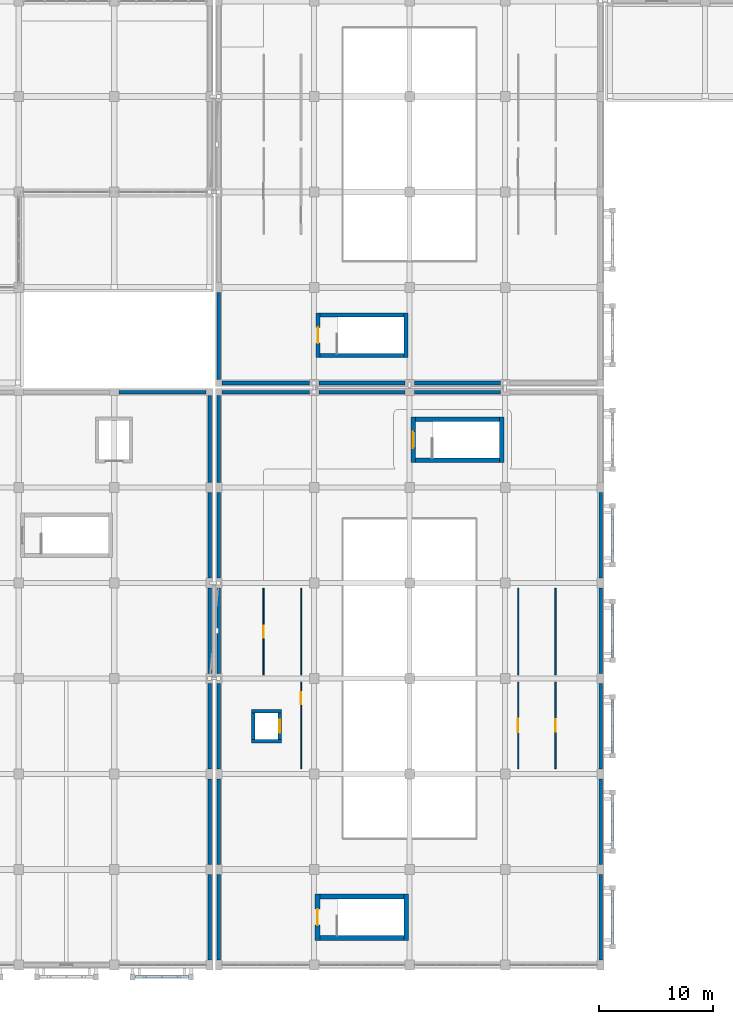
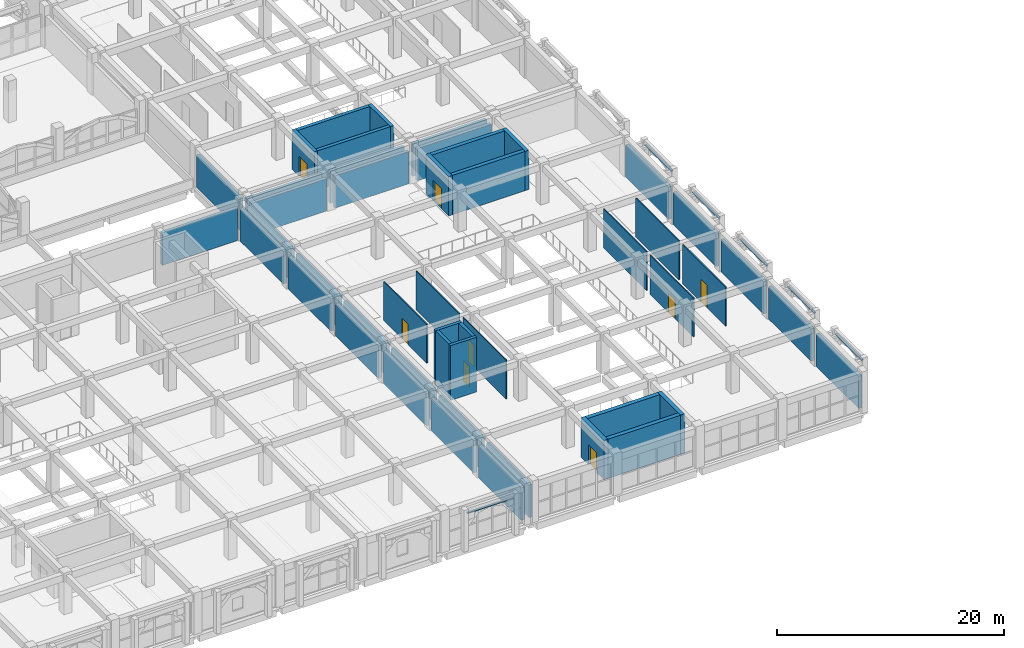
# One storey, part 110 of 129: 54 walls, 8 doors, 8 openings.
"""IFC4 building model written with IfcOpenShell, lengths in metres."""

from ifc_helpers import new_model, si_unit, direction, frame, frame_2d, origin, place, context, subcontext, project, spatial, rectangle, extrude, material, layer, layer_set, type_object, element, fill, save


model = new_model("IFC4")

# Units and contexts
model_context = context("Model", 3, precision=1e-05, world=origin(), true_north=direction((0.0, 1.0)))
body_context = subcontext(model_context, "Body", "Model", "MODEL_VIEW")
ifc_project = project(units=[si_unit("LENGTHUNIT", "METRE"), si_unit("AREAUNIT", "SQUARE_METRE"), si_unit("VOLUMEUNIT", "CUBIC_METRE"), si_unit("PLANEANGLEUNIT", "RADIAN"), si_unit("MASSUNIT", "GRAM", prefix="KILO")], contexts=[model_context])

# Site, building, storey
site_placement = place(None, origin())
site = spatial("IfcSite", under=ifc_project, at=site_placement, CompositionType="ELEMENT")
building_placement = place(site_placement, origin())
building = spatial("IfcBuilding", under=site, at=building_placement, Name="Xazarin Passage Department Store", CompositionType="ELEMENT")
storey_placement = place(building_placement, frame((0.0, 0.0, 9.89990234375)))
storey = spatial("IfcBuildingStorey", under=building, at=storey_placement, Name="L02", CompositionType="ELEMENT", Elevation=9.89990234375)

# Walls
ifc_material_1 = material(Name="Buff Baku clay brick", Category="masonry")
ifc_layer_1 = layer(ifc_material_1, 0.320068359375)
ifc_layer_set_1 = layer_set([ifc_layer_1], Name="Buff Baku clay brick")
wall_type_1 = type_object("IfcWallType", Name="ARC-W-EXT320", PredefinedType="SOLIDWALL", material=ifc_layer_set_1)
wall_1_placement = place(storey_placement, frame((68.300048828125, 50.39990234375, 0.0), z_axis=(0.0, 0.0, 1.0), x_axis=(1.0, 0.0, 0.0)))
element("IfcWall", 1, at=wall_1_placement, inside=storey, type_object=wall_type_1, Name="L02 V2S Exterior Wall 122", PredefinedType="SOLIDWALL", context=body_context, shape_type="SweptSolid", body=[
    extrude(rectangle(XDim=7.675048828125, YDim=0.320068359375, at=frame_2d((3.83740234375, 0.0))), origin(), (0.0, 0.0, 1.0), 3.489990234375),
])
wall_2_placement = place(storey_placement, frame((76.824951171875, 50.39990234375, 0.0), z_axis=(0.0, 0.0, 1.0), x_axis=(1.0, 0.0, 0.0)))
element("IfcWall", 2, at=wall_2_placement, inside=storey, type_object=wall_type_1, Name="L02 V2S Exterior Wall 123", PredefinedType="SOLIDWALL", context=body_context, shape_type="SweptSolid", body=[
    extrude(rectangle(XDim=7.550048828125, YDim=0.320068359375, at=frame_2d((3.77490234375, 0.0))), origin(), (0.0, 0.0, 1.0), 3.489990234375),
])
wall_3_placement = place(storey_placement, frame((85.22509765625, 50.39990234375, 0.0), z_axis=(0.0, 0.0, 1.0), x_axis=(1.0, 0.0, 0.0)))
element("IfcWall", 3, at=wall_3_placement, inside=storey, type_object=wall_type_1, Name="L02 V2S Exterior Wall 124", PredefinedType="SOLIDWALL", context=body_context, shape_type="SweptSolid", body=[
    extrude(rectangle(XDim=7.5498046875, YDim=0.320068359375, at=frame_2d((3.77490234375, 0.0))), origin(), (0.0, 0.0, 1.0), 3.489990234375),
])
for number, where, z_axis, x_axis, name in (
    (4, (68.0, 0.425048828125, 0.0), (0.0, 0.0, 1.0), (0.0, 1.0, 0.0), "L02 V2S Exterior Wall 126"),
    (5, (68.0, 8.824951171875, 0.0), (0.0, 0.0, 1.0), (0.0, 1.0, 0.0), "L02 V2S Exterior Wall 127"),
):
    element("IfcWall", number, at=place(storey_placement, frame(where, z_axis=z_axis, x_axis=x_axis)), inside=storey, type_object=wall_type_1, Name=name, PredefinedType="SOLIDWALL", context=body_context, shape_type="SweptSolid", body=[
        extrude(rectangle(XDim=7.550048828125, YDim=0.320068359375, at=frame_2d((3.77490234375, 0.0))), origin(), (0.0, 0.0, 1.0), 3.489990234375),
    ])
wall_4_placement = place(storey_placement, frame((68.0, 17.22509765625, 0.0), z_axis=(0.0, 0.0, 1.0), x_axis=(0.0, 1.0, 0.0)))
element("IfcWall", 6, at=wall_4_placement, inside=storey, type_object=wall_type_1, Name="L02 V2S Exterior Wall 128", PredefinedType="SOLIDWALL", context=body_context, shape_type="SweptSolid", body=[
    extrude(rectangle(XDim=7.5498046875, YDim=0.320068359375, at=frame_2d((3.77490234375, 0.0))), origin(), (0.0, 0.0, 1.0), 3.489990234375),
])
for number, where, z_axis, x_axis, name in (
    (7, (68.0, 25.625, 0.0), (0.0, 0.0, 1.0), (0.0, 1.0, 0.0), "L02 V2S Exterior Wall 129"),
    (8, (68.0, 34.02490234375, 0.0), (0.0, 0.0, 1.0), (0.0, 1.0, 0.0), "L02 V2S Exterior Wall 130"),
):
    element("IfcWall", number, at=place(storey_placement, frame(where, z_axis=z_axis, x_axis=x_axis)), inside=storey, type_object=wall_type_1, Name=name, PredefinedType="SOLIDWALL", context=body_context, shape_type="SweptSolid", body=[
        extrude(rectangle(XDim=7.550048828125, YDim=0.320068359375, at=frame_2d((3.77490234375, 0.0))), origin(), (0.0, 0.0, 1.0), 3.489990234375),
    ])
wall_5_placement = place(storey_placement, frame((68.0, 42.425048828125, 0.0), z_axis=(0.0, 0.0, 1.0), x_axis=(0.0, 1.0, 0.0)))
element("IfcWall", 9, at=wall_5_placement, inside=storey, type_object=wall_type_1, Name="L02 V2S Exterior Wall 131", PredefinedType="SOLIDWALL", context=body_context, shape_type="SweptSolid", body=[
    extrude(rectangle(XDim=7.675048828125, YDim=0.320068359375, at=frame_2d((3.83740234375, 0.0))), origin(), (0.0, 0.0, 1.0), 3.489990234375),
])
for number, where, z_axis, x_axis, name in (
    (10, (101.60009765625, 0.425048828125, 0.0), (0.0, 0.0, 1.0), (0.0, 1.0, 0.0), "L02 V2S Exterior Wall 132"),
    (11, (101.60009765625, 8.824951171875, 0.0), (0.0, 0.0, 1.0), (0.0, 1.0, 0.0), "L02 V2S Exterior Wall 133"),
):
    element("IfcWall", number, at=place(storey_placement, frame(where, z_axis=z_axis, x_axis=x_axis)), inside=storey, type_object=wall_type_1, Name=name, PredefinedType="SOLIDWALL", context=body_context, shape_type="SweptSolid", body=[
        extrude(rectangle(XDim=7.550048828125, YDim=0.320068359375, at=frame_2d((3.77490234375, 0.0))), origin(), (0.0, 0.0, 1.0), 3.489990234375),
    ])
wall_6_placement = place(storey_placement, frame((101.60009765625, 17.22509765625, 0.0), z_axis=(0.0, 0.0, 1.0), x_axis=(0.0, 1.0, 0.0)))
element("IfcWall", 12, at=wall_6_placement, inside=storey, type_object=wall_type_1, Name="L02 V2S Exterior Wall 134", PredefinedType="SOLIDWALL", context=body_context, shape_type="SweptSolid", body=[
    extrude(rectangle(XDim=7.5498046875, YDim=0.320068359375, at=frame_2d((3.77490234375, 0.0))), origin(), (0.0, 0.0, 1.0), 3.489990234375),
])
for number, where, z_axis, x_axis, name in (
    (13, (101.60009765625, 25.625, 0.0), (0.0, 0.0, 1.0), (0.0, 1.0, 0.0), "L02 V2S Exterior Wall 135"),
    (14, (101.60009765625, 34.02490234375, 0.0), (0.0, 0.0, 1.0), (0.0, 1.0, 0.0), "L02 V2S Exterior Wall 136"),
):
    element("IfcWall", number, at=place(storey_placement, frame(where, z_axis=z_axis, x_axis=x_axis)), inside=storey, type_object=wall_type_1, Name=name, PredefinedType="SOLIDWALL", context=body_context, shape_type="SweptSolid", body=[
        extrude(rectangle(XDim=7.550048828125, YDim=0.320068359375, at=frame_2d((3.77490234375, 0.0))), origin(), (0.0, 0.0, 1.0), 3.489990234375),
    ])
wall_7_placement = place(storey_placement, frame((68.300048828125, 51.199951171875, 0.0), z_axis=(0.0, 0.0, 1.0), x_axis=(1.0, 0.0, 0.0)))
element("IfcWall", 15, at=wall_7_placement, inside=storey, type_object=wall_type_1, Name="L02 V2N Exterior Wall 168", PredefinedType="SOLIDWALL", context=body_context, shape_type="SweptSolid", body=[
    extrude(rectangle(XDim=7.675048828125, YDim=0.320068359375, at=frame_2d((3.83740234375, 0.0))), origin(), (0.0, 0.0, 1.0), 3.489990234375),
])
wall_8_placement = place(storey_placement, frame((76.824951171875, 51.199951171875, 0.0), z_axis=(0.0, 0.0, 1.0), x_axis=(1.0, 0.0, 0.0)))
element("IfcWall", 16, at=wall_8_placement, inside=storey, type_object=wall_type_1, Name="L02 V2N Exterior Wall 169", PredefinedType="SOLIDWALL", context=body_context, shape_type="SweptSolid", body=[
    extrude(rectangle(XDim=7.550048828125, YDim=0.320068359375, at=frame_2d((3.77490234375, 0.0))), origin(), (0.0, 0.0, 1.0), 3.489990234375),
])
wall_9_placement = place(storey_placement, frame((85.22509765625, 51.199951171875, 0.0), z_axis=(0.0, 0.0, 1.0), x_axis=(1.0, 0.0, 0.0)))
element("IfcWall", 17, at=wall_9_placement, inside=storey, type_object=wall_type_1, Name="L02 V2N Exterior Wall 170", PredefinedType="SOLIDWALL", context=body_context, shape_type="SweptSolid", body=[
    extrude(rectangle(XDim=7.5498046875, YDim=0.320068359375, at=frame_2d((3.77490234375, 0.0))), origin(), (0.0, 0.0, 1.0), 3.489990234375),
])
wall_10_placement = place(storey_placement, frame((68.0, 51.5, 0.0), z_axis=(0.0, 0.0, 1.0), x_axis=(0.0, 1.0, 0.0)))
element("IfcWall", 18, at=wall_10_placement, inside=storey, type_object=wall_type_1, Name="L02 V2N Exterior Wall 172", PredefinedType="SOLIDWALL", context=body_context, shape_type="SweptSolid", body=[
    extrude(rectangle(XDim=7.675048828125, YDim=0.320068359375, at=frame_2d((3.83740234375, 0.0))), origin(), (0.0, 0.0, 1.0), 3.489990234375),
])
wall_11_placement = place(storey_placement, frame((59.22509765625, 50.39990234375, 0.0), z_axis=(0.0, 0.0, 1.0), x_axis=(1.0, 0.0, 0.0)))
element("IfcWall", 19, at=wall_11_placement, inside=storey, type_object=wall_type_1, Name="L02 V3 Exterior Wall 235", PredefinedType="SOLIDWALL", context=body_context, shape_type="SweptSolid", body=[
    extrude(rectangle(XDim=7.6748046875, YDim=0.320068359375, at=frame_2d((3.83740234375, 0.0))), origin(), (0.0, 0.0, 1.0), 3.489990234375),
])
for number, where, z_axis, x_axis, name in (
    (20, (67.199951171875, 0.425048828125, 0.0), (0.0, 0.0, 1.0), (0.0, 1.0, 0.0), "L02 V3 Exterior Wall 241"),
    (21, (67.199951171875, 8.824951171875, 0.0), (0.0, 0.0, 1.0), (0.0, 1.0, 0.0), "L02 V3 Exterior Wall 242"),
):
    element("IfcWall", number, at=place(storey_placement, frame(where, z_axis=z_axis, x_axis=x_axis)), inside=storey, type_object=wall_type_1, Name=name, PredefinedType="SOLIDWALL", context=body_context, shape_type="SweptSolid", body=[
        extrude(rectangle(XDim=7.550048828125, YDim=0.320068359375, at=frame_2d((3.77490234375, 0.0))), origin(), (0.0, 0.0, 1.0), 3.489990234375),
    ])
wall_12_placement = place(storey_placement, frame((67.199951171875, 17.22509765625, 0.0), z_axis=(0.0, 0.0, 1.0), x_axis=(0.0, 1.0, 0.0)))
element("IfcWall", 22, at=wall_12_placement, inside=storey, type_object=wall_type_1, Name="L02 V3 Exterior Wall 243", PredefinedType="SOLIDWALL", context=body_context, shape_type="SweptSolid", body=[
    extrude(rectangle(XDim=7.5498046875, YDim=0.320068359375, at=frame_2d((3.77490234375, 0.0))), origin(), (0.0, 0.0, 1.0), 3.489990234375),
])
for number, where, z_axis, x_axis, name in (
    (23, (67.199951171875, 25.625, 0.0), (0.0, 0.0, 1.0), (0.0, 1.0, 0.0), "L02 V3 Exterior Wall 244"),
    (24, (67.199951171875, 34.02490234375, 0.0), (0.0, 0.0, 1.0), (0.0, 1.0, 0.0), "L02 V3 Exterior Wall 245"),
):
    element("IfcWall", number, at=place(storey_placement, frame(where, z_axis=z_axis, x_axis=x_axis)), inside=storey, type_object=wall_type_1, Name=name, PredefinedType="SOLIDWALL", context=body_context, shape_type="SweptSolid", body=[
        extrude(rectangle(XDim=7.550048828125, YDim=0.320068359375, at=frame_2d((3.77490234375, 0.0))), origin(), (0.0, 0.0, 1.0), 3.489990234375),
    ])
wall_13_placement = place(storey_placement, frame((67.199951171875, 42.425048828125, 0.0), z_axis=(0.0, 0.0, 1.0), x_axis=(0.0, 1.0, 0.0)))
element("IfcWall", 25, at=wall_13_placement, inside=storey, type_object=wall_type_1, Name="L02 V3 Exterior Wall 246", PredefinedType="SOLIDWALL", context=body_context, shape_type="SweptSolid", body=[
    extrude(rectangle(XDim=7.675048828125, YDim=0.320068359375, at=frame_2d((3.83740234375, 0.0))), origin(), (0.0, 0.0, 1.0), 3.489990234375),
])
ifc_material_2 = material(Name="Precast concrete C40/50", Category="concrete")
ifc_layer_2 = layer(ifc_material_2, 0.2099609375)
ifc_layer_set_2 = layer_set([ifc_layer_2], Name="Precast concrete C40/50")
wall_type_2 = type_object("IfcWallType", Name="ARC-W-PAR210", PredefinedType="PARAPET", material=ifc_layer_set_2)
for number, where, z_axis, x_axis, name in (
    (26, (102.64990234375, 1.8701171875, 3.880126953125), (0.0, 0.0, 1.0), (0.0, 1.0, 0.0), "L02 V2S Pierced-Arch Spandrel Lintel 0086"),
    (27, (102.64990234375, 10.27001953125, 3.880126953125), (0.0, 0.0, 1.0), (0.0, 1.0, 0.0), "L02 V2S Pierced-Arch Spandrel Lintel 0089"),
):
    element("IfcWall", number, at=place(storey_placement, frame(where, z_axis=z_axis, x_axis=x_axis)), inside=storey, type_object=wall_type_2, Name=name, PredefinedType="PARAPET", context=body_context, shape_type="SweptSolid", body=[
        extrude(rectangle(XDim=4.659912109375, YDim=0.2099609375, at=frame_2d((2.330078125, 0.0))), origin(), (0.0, 0.0, 1.0), 0.119873046875),
    ])
wall_14_placement = place(storey_placement, frame((102.64990234375, 18.669921875, 3.880126953125), z_axis=(0.0, 0.0, 1.0), x_axis=(0.0, 1.0, 0.0)))
element("IfcWall", 28, at=wall_14_placement, inside=storey, type_object=wall_type_2, Name="L02 V2S Pierced-Arch Spandrel Lintel 0092", PredefinedType="PARAPET", context=body_context, shape_type="SweptSolid", body=[
    extrude(rectangle(XDim=4.66015625, YDim=0.2099609375, at=frame_2d((2.330078125, 0.0))), origin(), (0.0, 0.0, 1.0), 0.119873046875),
])
for number, where, z_axis, x_axis, name in (
    (29, (102.64990234375, 27.070068359375, 3.880126953125), (0.0, 0.0, 1.0), (0.0, 1.0, 0.0), "L02 V2S Pierced-Arch Spandrel Lintel 0095"),
    (30, (102.64990234375, 35.469970703125, 3.880126953125), (0.0, 0.0, 1.0), (0.0, 1.0, 0.0), "L02 V2S Pierced-Arch Spandrel Lintel 0098"),
):
    element("IfcWall", number, at=place(storey_placement, frame(where, z_axis=z_axis, x_axis=x_axis)), inside=storey, type_object=wall_type_2, Name=name, PredefinedType="PARAPET", context=body_context, shape_type="SweptSolid", body=[
        extrude(rectangle(XDim=4.659912109375, YDim=0.2099609375, at=frame_2d((2.330078125, 0.0))), origin(), (0.0, 0.0, 1.0), 0.119873046875),
    ])
wall_15_placement = place(storey_placement, frame((60.669921875, -1.050048828125, 3.880126953125), z_axis=(0.0, 0.0, 1.0), x_axis=(1.0, 0.0, 0.0)))
element("IfcWall", 31, at=wall_15_placement, inside=storey, type_object=wall_type_2, Name="L02 V3 Pierced-Arch Spandrel Lintel 0130", PredefinedType="PARAPET", context=body_context, shape_type="SweptSolid", body=[
    extrude(rectangle(XDim=4.66015625, YDim=0.2099609375, at=frame_2d((2.330078125, 0.0))), origin(), (0.0, 0.0, 1.0), 0.119873046875),
])

# Wall, opening, door
ifc_material_3 = material(Name="Gypsum board acoustic partition")
ifc_layer_3 = layer(ifc_material_3, 0.094970703125)
ifc_layer_set_3 = layer_set([ifc_layer_3], Name="Gypsum board acoustic partition")
wall_type_3 = type_object("IfcWallType", Name="ARC-W-PRT095", PredefinedType="PARTITIONING", material=ifc_layer_set_3)
wall_16_placement = place(storey_placement, frame((75.25, 17.27001953125, 0.0), z_axis=(0.0, 0.0, 1.0), x_axis=(0.0, 1.0, 0.0)))
wall_16 = element("IfcWall", 32, at=wall_16_placement, inside=storey, type_object=wall_type_3, Name="L02 Millinery and Scarf Salon Front Wall 0162", PredefinedType="PARTITIONING", context=body_context, shape_type="SweptSolid", body=[
    extrude(rectangle(XDim=7.60986328125, YDim=0.094970703125, at=frame_2d((3.804931640625, 0.0))), origin(), (0.0, 0.0, 1.0), 4.2001953125),
])
opening_1_placement = place(wall_16_placement, frame((5.68505859375, 0.0, 0.0)))
opening_1 = element("IfcOpeningElement", 33, at=opening_1_placement, cuts=wall_16, Name="Opening ID17", PredefinedType="OPENING", context=body_context, shape_type="SweptSolid", body=[
    extrude(rectangle(XDim=1.0400390625, YDim=2.340087890625, at=frame_2d((0.52001953125, 1.169921875))), frame((0.0, 0.057373046875, 0.0), z_axis=(0.0, -1.0, 0.0), x_axis=(1.0, 0.0, 0.0)), (0.0, 0.0, 1.0), 0.114990234375),
])
ifc_material_4 = material(Name="Timber acoustic leaf", Category="wood")
door_type_1 = type_object("IfcDoorType", Name="ARC-DR-ID17", OperationType="NOTDEFINED", PredefinedType="DOOR", material=ifc_material_4)
door_1_placement = place(opening_1_placement, origin())
door_1 = element("IfcDoor", 34, at=door_1_placement, inside=storey, type_object=door_type_1, Name="DR-INT-L02-0162", OperationType="SINGLE_SWING_RIGHT", OverallHeight=2.340087890625, OverallWidth=1.0400390625, PredefinedType="DOOR", context=body_context, shape_type="SweptSolid", body=[
    extrude(rectangle(XDim=1.0400390625, YDim=2.340087890625, at=frame_2d((0.52001953125, 1.169921875))), frame((0.0, 0.02490234375, 0.0), z_axis=(0.0, -1.0, 0.0), x_axis=(1.0, 0.0, 0.0)), (0.0, 0.0, 1.0), 0.050048828125),
])
fill(opening_1, door_1)

# Wall
wall_17_placement = place(storey_placement, frame((75.25, 25.52001953125, 0.0), z_axis=(0.0, 0.0, 1.0), x_axis=(0.0, 1.0, 0.0)))
element("IfcWall", 35, at=wall_17_placement, inside=storey, type_object=wall_type_3, Name="L02 Millinery and Scarf Salon Front Wall 0163", PredefinedType="PARTITIONING", context=body_context, shape_type="SweptSolid", body=[
    extrude(rectangle(XDim=7.60986328125, YDim=0.094970703125, at=frame_2d((3.804931640625, 0.0))), origin(), (0.0, 0.0, 1.0), 4.2001953125),
])

# Wall, opening, door
ifc_layer_4 = layer(ifc_material_3, 0.110107421875)
ifc_layer_set_4 = layer_set([ifc_layer_4], Name="Gypsum board acoustic partition")
wall_type_4 = type_object("IfcWallType", Name="ARC-W-PRT110", PredefinedType="PARTITIONING", material=ifc_layer_set_4)
wall_18_placement = place(storey_placement, frame((71.949951171875, 25.52001953125, 0.0), z_axis=(0.0, 0.0, 1.0), x_axis=(0.0, 1.0, 0.0)))
wall_18 = element("IfcWall", 36, at=wall_18_placement, inside=storey, type_object=wall_type_4, Name="L02 Millinery and Scarf Salon Front Wall 0161", PredefinedType="PARTITIONING", context=body_context, shape_type="SweptSolid", body=[
    extrude(rectangle(XDim=7.60986328125, YDim=0.110107421875, at=frame_2d((3.804931640625, 0.0))), origin(), (0.0, 0.0, 1.0), 4.2001953125),
])
opening_2_placement = place(wall_18_placement, frame((3.284912109375, 0.0, 0.0)))
opening_2 = element("IfcOpeningElement", 37, at=opening_2_placement, cuts=wall_18, Name="Opening ID16", PredefinedType="OPENING", context=body_context, shape_type="SweptSolid", body=[
    extrude(rectangle(XDim=1.0400390625, YDim=2.219970703125, at=frame_2d((0.52001953125, 1.10986328125))), frame((0.0, 0.06494140625, 0.0), z_axis=(0.0, -1.0, 0.0), x_axis=(1.0, 0.0, 0.0)), (0.0, 0.0, 1.0), 0.130126953125),
])
door_type_2 = type_object("IfcDoorType", Name="ARC-DR-ID16", OperationType="NOTDEFINED", PredefinedType="DOOR", material=ifc_material_4)
door_2_placement = place(opening_2_placement, origin())
door_2 = element("IfcDoor", 38, at=door_2_placement, inside=storey, type_object=door_type_2, Name="DR-INT-L02-0161", OperationType="SINGLE_SWING_LEFT", OverallHeight=2.219970703125, OverallWidth=1.0400390625, PredefinedType="DOOR", context=body_context, shape_type="SweptSolid", body=[
    extrude(rectangle(XDim=1.0400390625, YDim=2.219970703125, at=frame_2d((0.52001953125, 1.10986328125))), frame((0.0, 0.02490234375, 0.0), z_axis=(0.0, -1.0, 0.0), x_axis=(1.0, 0.0, 0.0)), (0.0, 0.0, 1.0), 0.050048828125),
])
fill(opening_2, door_2)

wall_19_placement = place(storey_placement, frame((94.35009765625, 17.27001953125, 0.0), z_axis=(0.0, 0.0, 1.0), x_axis=(0.0, 1.0, 0.0)))
wall_19 = element("IfcWall", 39, at=wall_19_placement, inside=storey, type_object=wall_type_4, Name="L02 Arcade Boutique Front Wall 0166", PredefinedType="PARTITIONING", context=body_context, shape_type="SweptSolid", body=[
    extrude(rectangle(XDim=7.60986328125, YDim=0.110107421875, at=frame_2d((3.804931640625, 0.0))), origin(), (0.0, 0.0, 1.0), 4.2001953125),
])
opening_3_placement = place(wall_19_placement, frame((3.215087890625, 0.0, 0.0)))
opening_3 = element("IfcOpeningElement", 40, at=opening_3_placement, cuts=wall_19, Name="Opening ID23", PredefinedType="OPENING", context=body_context, shape_type="SweptSolid", body=[
    extrude(rectangle(XDim=1.179931640625, YDim=2.10009765625, at=frame_2d((0.58984375, 1.050048828125))), frame((0.0, 0.06494140625, 0.0), z_axis=(0.0, -1.0, 0.0), x_axis=(1.0, 0.0, 0.0)), (0.0, 0.0, 1.0), 0.130126953125),
])
door_type_3 = type_object("IfcDoorType", Name="ARC-DR-ID23", OperationType="NOTDEFINED", PredefinedType="DOOR", material=ifc_material_4)
door_3_placement = place(opening_3_placement, origin())
door_3 = element("IfcDoor", 41, at=door_3_placement, inside=storey, type_object=door_type_3, Name="DR-INT-L02-0166", OperationType="SINGLE_SWING_RIGHT", OverallHeight=2.10009765625, OverallWidth=1.179931640625, PredefinedType="DOOR", context=body_context, shape_type="SweptSolid", body=[
    extrude(rectangle(XDim=1.179931640625, YDim=2.10009765625, at=frame_2d((0.58984375, 1.050048828125))), frame((0.0, 0.02490234375, 0.0), z_axis=(0.0, -1.0, 0.0), x_axis=(1.0, 0.0, 0.0)), (0.0, 0.0, 1.0), 0.050048828125),
])
fill(opening_3, door_3)

# Wall
wall_20_placement = place(storey_placement, frame((94.35009765625, 25.52001953125, 0.0), z_axis=(0.0, 0.0, 1.0), x_axis=(0.0, 1.0, 0.0)))
element("IfcWall", 42, at=wall_20_placement, inside=storey, type_object=wall_type_4, Name="L02 Arcade Boutique Front Wall 0167", PredefinedType="PARTITIONING", context=body_context, shape_type="SweptSolid", body=[
    extrude(rectangle(XDim=7.60986328125, YDim=0.110107421875, at=frame_2d((3.804931640625, 0.0))), origin(), (0.0, 0.0, 1.0), 4.2001953125),
])

# Wall, opening, door
ifc_layer_5 = layer(ifc_material_3, 0.125)
ifc_layer_set_5 = layer_set([ifc_layer_5], Name="Gypsum board acoustic partition")
wall_type_5 = type_object("IfcWallType", Name="ARC-W-PRT125", PredefinedType="PARTITIONING", material=ifc_layer_set_5)
wall_21_placement = place(storey_placement, frame((97.64990234375, 17.27001953125, 0.0), z_axis=(0.0, 0.0, 1.0), x_axis=(0.0, 1.0, 0.0)))
wall_21 = element("IfcWall", 43, at=wall_21_placement, inside=storey, type_object=wall_type_5, Name="L02 Arcade Boutique Front Wall 0164", PredefinedType="PARTITIONING", context=body_context, shape_type="SweptSolid", body=[
    extrude(rectangle(XDim=7.60986328125, YDim=0.125, at=frame_2d((3.804931640625, 0.0))), origin(), (0.0, 0.0, 1.0), 4.2001953125),
])
opening_4_placement = place(wall_21_placement, frame((3.2451171875, 0.0, 0.0)))
opening_4 = element("IfcOpeningElement", 44, at=opening_4_placement, cuts=wall_21, Name="Opening ID22", PredefinedType="OPENING", context=body_context, shape_type="SweptSolid", body=[
    extrude(rectangle(XDim=1.1201171875, YDim=2.4599609375, at=frame_2d((0.56005859375, 1.22998046875))), frame((0.0, 0.072509765625, 0.0), z_axis=(0.0, -1.0, 0.0), x_axis=(1.0, 0.0, 0.0)), (0.0, 0.0, 1.0), 0.14501953125),
])
door_type_4 = type_object("IfcDoorType", Name="ARC-DR-ID22", OperationType="NOTDEFINED", PredefinedType="DOOR", material=ifc_material_4)
door_4_placement = place(opening_4_placement, origin())
door_4 = element("IfcDoor", 45, at=door_4_placement, inside=storey, type_object=door_type_4, Name="DR-INT-L02-0164", OperationType="SINGLE_SWING_LEFT", OverallHeight=2.4599609375, OverallWidth=1.1201171875, PredefinedType="DOOR", context=body_context, shape_type="SweptSolid", body=[
    extrude(rectangle(XDim=1.1201171875, YDim=2.4599609375, at=frame_2d((0.56005859375, 1.22998046875))), frame((0.0, 0.02490234375, 0.0), z_axis=(0.0, -1.0, 0.0), x_axis=(1.0, 0.0, 0.0)), (0.0, 0.0, 1.0), 0.050048828125),
])
fill(opening_4, door_4)

# Walls
wall_22_placement = place(storey_placement, frame((97.64990234375, 25.52001953125, 0.0), z_axis=(0.0, 0.0, 1.0), x_axis=(0.0, 1.0, 0.0)))
element("IfcWall", 46, at=wall_22_placement, inside=storey, type_object=wall_type_5, Name="L02 Arcade Boutique Front Wall 0165", PredefinedType="PARTITIONING", context=body_context, shape_type="SweptSolid", body=[
    extrude(rectangle(XDim=7.60986328125, YDim=0.125, at=frame_2d((3.804931640625, 0.0))), origin(), (0.0, 0.0, 1.0), 4.2001953125),
])
ifc_material_5 = material(Name="Concrete C40/50", Category="concrete")
ifc_layer_6 = layer(ifc_material_5, 0.31005859375)
ifc_layer_set_6 = layer_set([ifc_layer_6], Name="Concrete C40/50")
wall_type_6 = type_object("IfcWallType", Name="STR-W-LFT310", PredefinedType="SHEAR", material=ifc_layer_set_6)
for number, where, z_axis, x_axis, name in (
    (47, (70.8701171875, 19.675048828125, 0.0), (0.0, 0.0, 1.0), (1.0, 0.0, 0.0), "L02 Lift PL3 Shaft Wall South"),
    (48, (70.8701171875, 22.324951171875, 0.0), (0.0, 0.0, 1.0), (1.0, 0.0, 0.0), "L02 Lift PL3 Shaft Wall North"),
):
    element("IfcWall", number, at=place(storey_placement, frame(where, z_axis=z_axis, x_axis=x_axis)), inside=storey, type_object=wall_type_6, Name=name, PredefinedType="SHEAR", context=body_context, shape_type="SweptSolid", body=[
        extrude(rectangle(XDim=2.659912109375, YDim=0.31005859375, at=frame_2d((1.330078125, 0.0))), origin(), (0.0, 0.0, 1.0), 5.900146484375),
    ])
wall_23_placement = place(storey_placement, frame((71.02490234375, 19.830078125, 0.0), z_axis=(0.0, 0.0, 1.0), x_axis=(0.0, 1.0, 0.0)))
element("IfcWall", 49, at=wall_23_placement, inside=storey, type_object=wall_type_6, Name="L02 Lift PL3 Shaft Wall West", PredefinedType="SHEAR", context=body_context, shape_type="SweptSolid", body=[
    extrude(rectangle(XDim=2.33984375, YDim=0.31005859375, at=frame_2d((1.169921875, 0.0))), origin(), (0.0, 0.0, 1.0), 5.900146484375),
])

# Wall, opening, door
wall_24_placement = place(storey_placement, frame((73.375, 19.830078125, 0.0), z_axis=(0.0, 0.0, 1.0), x_axis=(0.0, 1.0, 0.0)))
wall_24 = element("IfcWall", 50, at=wall_24_placement, inside=storey, type_object=wall_type_6, Name="L02 Lift PL3 Shaft Wall East", PredefinedType="SHEAR", context=body_context, shape_type="SweptSolid", body=[
    extrude(rectangle(XDim=2.33984375, YDim=0.31005859375, at=frame_2d((1.169921875, 0.0))), origin(), (0.0, 0.0, 1.0), 5.900146484375),
])
opening_5_placement = place(wall_24_placement, frame((0.6201171875, 0.0, 0.0)))
opening_5 = element("IfcOpeningElement", 51, at=opening_5_placement, cuts=wall_24, Name="Opening LD-PL3-L02", PredefinedType="OPENING", context=body_context, shape_type="SweptSolid", body=[
    extrude(rectangle(XDim=1.10009765625, YDim=2.199951171875, at=frame_2d((0.550048828125, 1.10009765625))), frame((0.0, 0.1650390625, 0.0), z_axis=(0.0, -1.0, 0.0), x_axis=(1.0, 0.0, 0.0)), (0.0, 0.0, 1.0), 0.330078125),
])
ifc_material_6 = material(Name="Steel S355", Category="steel")
door_type_5 = type_object("IfcDoorType", Name="ARC-DR-LD110", OperationType="NOTDEFINED", PredefinedType="DOOR", material=ifc_material_6)
door_5_placement = place(opening_5_placement, origin())
door_5 = element("IfcDoor", 52, at=door_5_placement, inside=storey, type_object=door_type_5, Name="DR-LD-PL3-L02", OperationType="SLIDING_TO_LEFT", OverallHeight=2.199951171875, OverallWidth=1.10009765625, PredefinedType="DOOR", context=body_context, shape_type="SweptSolid", body=[
    extrude(rectangle(XDim=1.10009765625, YDim=2.199951171875, at=frame_2d((0.550048828125, 1.10009765625))), frame((0.0, 0.02490234375, 0.0), z_axis=(0.0, -1.0, 0.0), x_axis=(1.0, 0.0, 0.0)), (0.0, 0.0, 1.0), 0.050048828125),
])
fill(opening_5, door_5)

ifc_layer_7 = layer(ifc_material_5, 0.35009765625)
ifc_layer_set_7 = layer_set([ifc_layer_7], Name="Concrete C40/50")
wall_type_7 = type_object("IfcWallType", Name="STR-W-SHR350", PredefinedType="SHEAR", material=ifc_layer_set_7)
wall_25_placement = place(storey_placement, frame((76.72509765625, 57.3701171875, 0.0), z_axis=(0.0, 0.0, 1.0), x_axis=(0.0, -1.0, 0.0)))
wall_25 = element("IfcWall", 53, at=wall_25_placement, inside=storey, type_object=wall_type_7, Name="L02 Core K6 West Shear Wall", PredefinedType="SHEAR", context=body_context, shape_type="SweptSolid", body=[
    extrude(rectangle(XDim=3.940185546875, YDim=0.35009765625, at=frame_2d((1.97021484375, 0.0))), origin(), (0.0, 0.0, 1.0), 4.239990234375),
])
opening_6_placement = place(wall_25_placement, frame((1.27001953125, 0.0, 0.0)))
opening_6 = element("IfcOpeningElement", 54, at=opening_6_placement, cuts=wall_25, Name="Opening FD2", PredefinedType="OPENING", context=body_context, shape_type="SweptSolid", body=[
    extrude(rectangle(XDim=1.39990234375, YDim=2.14990234375, at=frame_2d((0.699951171875, 1.074951171875))), frame((0.0, 0.18505859375, 0.0), z_axis=(0.0, -1.0, 0.0), x_axis=(1.0, 0.0, 0.0)), (0.0, 0.0, 1.0), 0.3701171875),
])
door_type_6 = type_object("IfcDoorType", Name="ARC-DR-STR140", OperationType="NOTDEFINED", PredefinedType="DOOR", material=ifc_material_6)
door_6_placement = place(opening_6_placement, origin())
door_6 = element("IfcDoor", 55, at=door_6_placement, inside=storey, type_object=door_type_6, Name="DR-STR-K6-L02", OperationType="SINGLE_SWING_RIGHT", OverallHeight=2.14990234375, OverallWidth=1.39990234375, PredefinedType="DOOR", context=body_context, shape_type="SweptSolid", body=[
    extrude(rectangle(XDim=1.39990234375, YDim=2.14990234375, at=frame_2d((0.699951171875, 1.074951171875))), frame((0.0, 0.02490234375, 0.0), z_axis=(0.0, -1.0, 0.0), x_axis=(1.0, 0.0, 0.0)), (0.0, 0.0, 1.0), 0.050048828125),
])
fill(opening_6, door_6)

# Walls
wall_26_placement = place(storey_placement, frame((84.47509765625, 53.429931640625, 0.0), z_axis=(0.0, 0.0, 1.0), x_axis=(0.0, 1.0, 0.0)))
element("IfcWall", 56, at=wall_26_placement, inside=storey, type_object=wall_type_7, Name="L02 Core K6 East Shear Wall", PredefinedType="SHEAR", context=body_context, shape_type="SweptSolid", body=[
    extrude(rectangle(XDim=3.940185546875, YDim=0.35009765625, at=frame_2d((1.97021484375, 0.0))), origin(), (0.0, 0.0, 1.0), 4.239990234375),
])
for number, where, z_axis, x_axis, name in (
    (57, (76.89990234375, 53.60498046875, 0.0), (0.0, 0.0, 1.0), (1.0, 0.0, 0.0), "L02 Core K6 South Shear Wall"),
    (58, (76.89990234375, 57.195068359375, 0.0), (0.0, 0.0, 1.0), (1.0, 0.0, 0.0), "L02 Core K6 North Shear Wall"),
):
    element("IfcWall", number, at=place(storey_placement, frame(where, z_axis=z_axis, x_axis=x_axis)), inside=storey, type_object=wall_type_7, Name=name, PredefinedType="SHEAR", context=body_context, shape_type="SweptSolid", body=[
        extrude(rectangle(XDim=7.400146484375, YDim=0.35009765625, at=frame_2d((3.7001953125, 0.0))), origin(), (0.0, 0.0, 1.0), 4.239990234375),
    ])

# Wall, opening, door
ifc_layer_8 = layer(ifc_material_5, 0.389892578125)
ifc_layer_set_8 = layer_set([ifc_layer_8], Name="Concrete C40/50")
wall_type_8 = type_object("IfcWallType", Name="STR-W-SHR390", PredefinedType="SHEAR", material=ifc_layer_set_8)
wall_27_placement = place(storey_placement, frame((85.10498046875, 48.2099609375, 0.0), z_axis=(0.0, 0.0, 1.0), x_axis=(0.0, -1.0, 0.0)))
wall_27 = element("IfcWall", 59, at=wall_27_placement, inside=storey, type_object=wall_type_8, Name="L02 Core K5 West Shear Wall", PredefinedType="SHEAR", context=body_context, shape_type="SweptSolid", body=[
    extrude(rectangle(XDim=4.02001953125, YDim=0.389892578125, at=frame_2d((2.010009765625, 0.0))), origin(), (0.0, 0.0, 1.0), 4.239990234375),
])
opening_7_placement = place(wall_27_placement, frame((1.284912109375, 0.0, 0.0)))
opening_7 = element("IfcOpeningElement", 60, at=opening_7_placement, cuts=wall_27, Name="Opening FD1", PredefinedType="OPENING", context=body_context, shape_type="SweptSolid", body=[
    extrude(rectangle(XDim=1.449951171875, YDim=2.199951171875, at=frame_2d((0.72509765625, 1.10009765625))), frame((0.0, 0.204833984375, 0.0), z_axis=(0.0, -1.0, 0.0), x_axis=(1.0, 0.0, 0.0)), (0.0, 0.0, 1.0), 0.409912109375),
])
door_type_7 = type_object("IfcDoorType", Name="ARC-DR-STR145", OperationType="NOTDEFINED", PredefinedType="DOOR", material=ifc_material_6)
door_7_placement = place(opening_7_placement, origin())
door_7 = element("IfcDoor", 61, at=door_7_placement, inside=storey, type_object=door_type_7, Name="DR-STR-K5-L02", OperationType="SINGLE_SWING_LEFT", OverallHeight=2.199951171875, OverallWidth=1.449951171875, PredefinedType="DOOR", context=body_context, shape_type="SweptSolid", body=[
    extrude(rectangle(XDim=1.449951171875, YDim=2.199951171875, at=frame_2d((0.72509765625, 1.10009765625))), frame((0.0, 0.02490234375, 0.0), z_axis=(0.0, -1.0, 0.0), x_axis=(1.0, 0.0, 0.0)), (0.0, 0.0, 1.0), 0.050048828125),
])
fill(opening_7, door_7)

# Walls
wall_28_placement = place(storey_placement, frame((92.89501953125, 44.18994140625, 0.0), z_axis=(0.0, 0.0, 1.0), x_axis=(0.0, 1.0, 0.0)))
element("IfcWall", 62, at=wall_28_placement, inside=storey, type_object=wall_type_8, Name="L02 Core K5 East Shear Wall", PredefinedType="SHEAR", context=body_context, shape_type="SweptSolid", body=[
    extrude(rectangle(XDim=4.02001953125, YDim=0.389892578125, at=frame_2d((2.010009765625, 0.0))), origin(), (0.0, 0.0, 1.0), 4.239990234375),
])
for number, where, z_axis, x_axis, name in (
    (63, (85.300048828125, 44.385009765625, 0.0), (0.0, 0.0, 1.0), (1.0, 0.0, 0.0), "L02 Core K5 South Shear Wall"),
    (64, (85.300048828125, 48.014892578125, 0.0), (0.0, 0.0, 1.0), (1.0, 0.0, 0.0), "L02 Core K5 North Shear Wall"),
):
    element("IfcWall", number, at=place(storey_placement, frame(where, z_axis=z_axis, x_axis=x_axis)), inside=storey, type_object=wall_type_8, Name=name, PredefinedType="SHEAR", context=body_context, shape_type="SweptSolid", body=[
        extrude(rectangle(XDim=7.39990234375, YDim=0.389892578125, at=frame_2d((3.699951171875, 0.0))), origin(), (0.0, 0.0, 1.0), 4.239990234375),
    ])

# Wall, opening, door
ifc_layer_9 = layer(ifc_material_5, 0.419921875)
ifc_layer_set_9 = layer_set([ifc_layer_9], Name="Concrete C40/50")
wall_type_9 = type_object("IfcWallType", Name="STR-W-SHR420", PredefinedType="SHEAR", material=ifc_layer_set_9)
wall_29_placement = place(storey_placement, frame((76.68994140625, 6.239990234375, 0.0), z_axis=(0.0, 0.0, 1.0), x_axis=(0.0, -1.0, 0.0)))
wall_29 = element("IfcWall", 65, at=wall_29_placement, inside=storey, type_object=wall_type_9, Name="L02 Core K4 West Shear Wall", PredefinedType="SHEAR", context=body_context, shape_type="SweptSolid", body=[
    extrude(rectangle(XDim=4.080078125, YDim=0.419921875, at=frame_2d((2.0400390625, 0.0))), origin(), (0.0, 0.0, 1.0), 4.239990234375),
])
opening_8_placement = place(wall_29_placement, frame((1.340087890625, 0.0, 0.0)))
opening_8 = element("IfcOpeningElement", 66, at=opening_8_placement, cuts=wall_29, Name="Opening FD2", PredefinedType="OPENING", context=body_context, shape_type="SweptSolid", body=[
    extrude(rectangle(XDim=1.39990234375, YDim=2.14990234375, at=frame_2d((0.699951171875, 1.074951171875))), frame((0.0, 0.219970703125, 0.0), z_axis=(0.0, -1.0, 0.0), x_axis=(1.0, 0.0, 0.0)), (0.0, 0.0, 1.0), 0.43994140625),
])
door_8_placement = place(opening_8_placement, origin())
door_8 = element("IfcDoor", 67, at=door_8_placement, inside=storey, type_object=door_type_6, Name="DR-STR-K4-L02", OperationType="SINGLE_SWING_RIGHT", OverallHeight=2.14990234375, OverallWidth=1.39990234375, PredefinedType="DOOR", context=body_context, shape_type="SweptSolid", body=[
    extrude(rectangle(XDim=1.39990234375, YDim=2.14990234375, at=frame_2d((0.699951171875, 1.074951171875))), frame((0.0, 0.02490234375, 0.0), z_axis=(0.0, -1.0, 0.0), x_axis=(1.0, 0.0, 0.0)), (0.0, 0.0, 1.0), 0.050048828125),
])
fill(opening_8, door_8)

# Walls
wall_30_placement = place(storey_placement, frame((84.510009765625, 2.159912109375, 0.0), z_axis=(0.0, 0.0, 1.0), x_axis=(0.0, 1.0, 0.0)))
element("IfcWall", 68, at=wall_30_placement, inside=storey, type_object=wall_type_9, Name="L02 Core K4 East Shear Wall", PredefinedType="SHEAR", context=body_context, shape_type="SweptSolid", body=[
    extrude(rectangle(XDim=4.080078125, YDim=0.419921875, at=frame_2d((2.0400390625, 0.0))), origin(), (0.0, 0.0, 1.0), 4.239990234375),
])
for number, where, z_axis, x_axis, name in (
    (69, (76.89990234375, 2.3701171875, 0.0), (0.0, 0.0, 1.0), (1.0, 0.0, 0.0), "L02 Core K4 South Shear Wall"),
    (70, (76.89990234375, 6.030029296875, 0.0), (0.0, 0.0, 1.0), (1.0, 0.0, 0.0), "L02 Core K4 North Shear Wall"),
):
    element("IfcWall", number, at=place(storey_placement, frame(where, z_axis=z_axis, x_axis=x_axis)), inside=storey, type_object=wall_type_9, Name=name, PredefinedType="SHEAR", context=body_context, shape_type="SweptSolid", body=[
        extrude(rectangle(XDim=7.400146484375, YDim=0.419921875, at=frame_2d((3.7001953125, 0.0))), origin(), (0.0, 0.0, 1.0), 4.239990234375),
    ])

save(model, "model.ifc")
